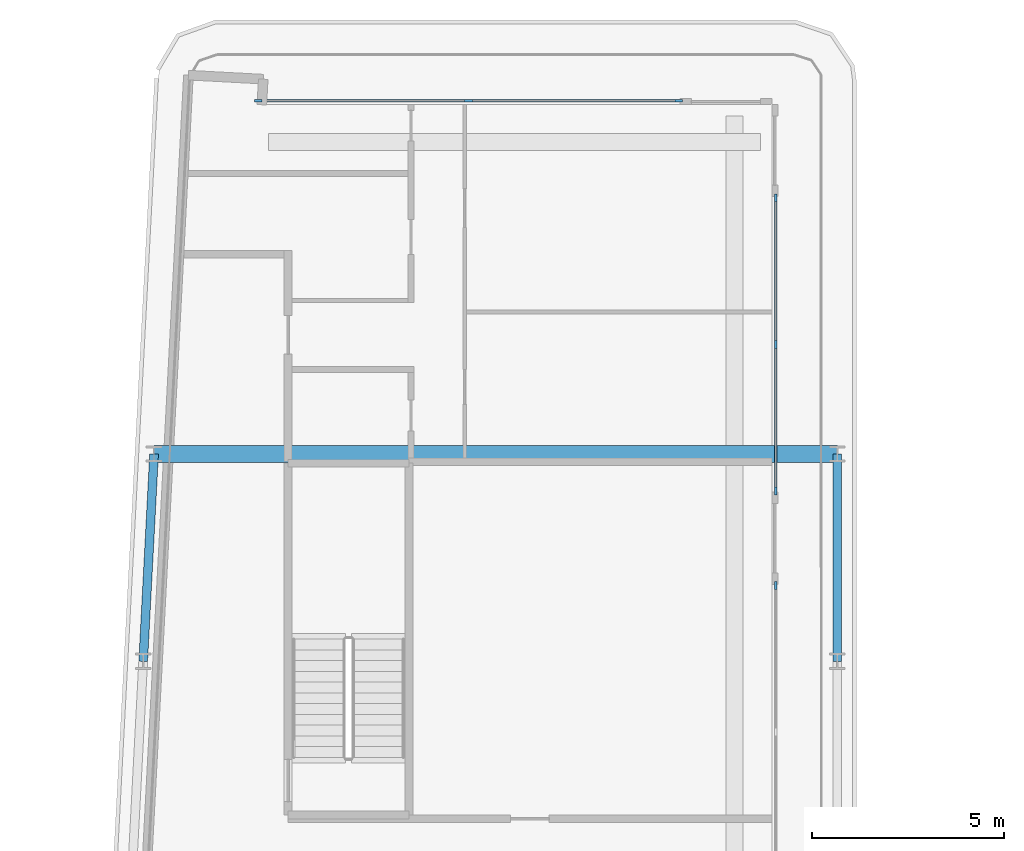
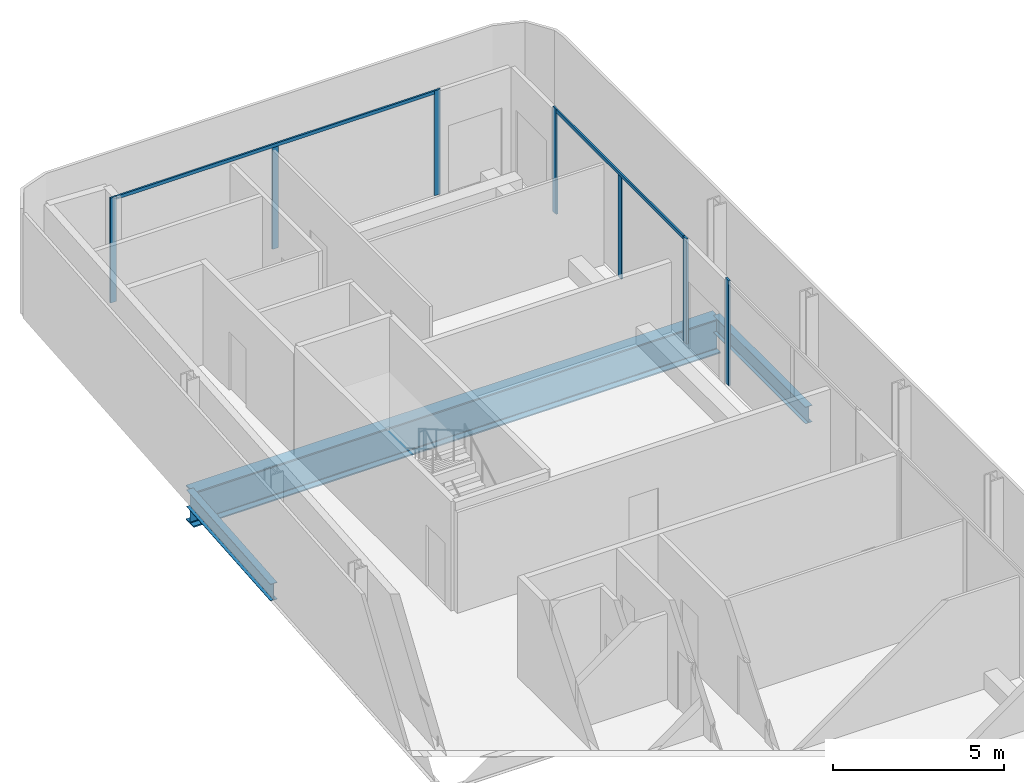
# One storey, part 11 of 30: 9 members, 3 beams, 3 elements without a shape of their own.
"""IFC4 building model written with IfcOpenShell, lengths in metres."""

from ifc_helpers import new_model, si_unit, direction, frame, origin, origin_2d, place, context, subcontext, project, spatial, rectangle, i_section, extrude, material, layer, layer_set, material_profile, profile_set, type_object, element, aggregate, save


model = new_model("IFC4")

# Units and contexts
model_context = context("Model", 3, precision=1e-05, world=origin(), true_north=direction((0.0, 1.0)))
body_context = subcontext(model_context, "Body", "Model", "MODEL_VIEW")
ifc_project = project(units=[si_unit("LENGTHUNIT", "METRE"), si_unit("AREAUNIT", "SQUARE_METRE"), si_unit("VOLUMEUNIT", "CUBIC_METRE"), si_unit("PLANEANGLEUNIT", "RADIAN"), si_unit("MASSUNIT", "GRAM", prefix="KILO")], contexts=[model_context])

# Site, building, storey
site_placement = place(None, origin())
site = spatial("IfcSite", under=ifc_project, at=site_placement, CompositionType="ELEMENT")
building_placement = place(site_placement, origin())
building = spatial("IfcBuilding", under=site, at=building_placement, Name="Kheshtan School and Residences Tower", CompositionType="ELEMENT")
storey_placement = place(building_placement, frame((0.0, 0.0, 164.300048828125)))
storey = spatial("IfcBuildingStorey", under=building, at=storey_placement, Name="L38", CompositionType="ELEMENT", Elevation=164.300048828125)

# Beams
ifc_material_1 = material(Name="Steel ASTM A992 Grade 50", Category="steel")
ifc_material_profile_1 = material_profile(ifc_material_1, i_section(OverallWidth=0.22802734375, OverallDepth=0.60302734375, WebThickness=0.010498046875, FlangeThickness=0.014892578125, FilletRadius=0.013427734375, at=origin_2d()), Name="W610x101")
ifc_profile_set_1 = profile_set([ifc_material_profile_1], Name="Steel ASTM A992 Grade 50")
beam_type_1 = type_object("IfcBeamType", Name="Beam SP2 W610x101 ASTM A992 Grade 50", PredefinedType="BEAM", material=ifc_profile_set_1)
beam_1_placement = place(storey_placement, frame((47.60009765625, 88.800048828125, -0.45166015625), z_axis=(0.0, -1.0, 0.0), x_axis=(1.0, 0.0, 0.0)))
element("IfcBeam", 1, at=beam_1_placement, inside=storey, type_object=beam_type_1, Name="Spandrel beam C099-C091", PredefinedType="BEAM", context=body_context, shape_type="SweptSolid", body=[
    extrude(i_section(OverallWidth=0.22802734375, OverallDepth=0.60302734375, WebThickness=0.010498046875, FlangeThickness=0.014892578125, FilletRadius=0.013427734375, at=origin_2d()), origin(), (0.0, 0.0, 1.0), 5.400146484375),
])
beam_2_placement = place(storey_placement, frame((29.527099609375, 83.39990234375, -0.45166015625), z_axis=(0.05250670125, 0.998620571751, 0.0), x_axis=(-0.998620571751, 0.05250670125, 0.0)))
element("IfcBeam", 2, at=beam_2_placement, inside=storey, type_object=beam_type_1, Name="Spandrel beam C090-C098", PredefinedType="BEAM", context=body_context, shape_type="SweptSolid", body=[
    extrude(i_section(OverallWidth=0.22802734375, OverallDepth=0.60302734375, WebThickness=0.010498046875, FlangeThickness=0.014892578125, FilletRadius=0.013427734375, at=origin_2d()), origin(), (0.0, 0.0, 1.0), 5.40771484375),
])

# Curtain wall, members
ifc_material_2 = material(Name="Clear low-e glass in thermally broken aluminium frame", Category="aluminium")
ifc_layer = layer(ifc_material_2, 0.199951171875)
ifc_layer_set = layer_set([ifc_layer], Name="Curtain wall CW-L")
curtain_wall_type = type_object("IfcCurtainWallType", Name="Curtain wall CW-L", PredefinedType="NOTDEFINED", material=ifc_layer_set)
curtain_wall_1_placement = place(storey_placement, origin())
curtain_wall_1 = element("IfcCurtainWall", 3, at=curtain_wall_1_placement, inside=storey, type_object=curtain_wall_type, Name="Curtain wall CWL7", PredefinedType="NOTDEFINED")
ifc_material_3 = material(Name="Thermally broken aluminium, dark bronze anodised", Category="aluminium")
ifc_material_profile_2 = material_profile(ifc_material_3, rectangle(XDim=0.06005859375, YDim=0.199951171875, at=origin_2d()), Name="CW-L mullion 60x200")
ifc_profile_set_2 = profile_set([ifc_material_profile_2], Name="Thermally broken aluminium, dark bronze anodised")
member_type_1 = type_object("IfcMemberType", Name="CW-L mullion 60x200", PredefinedType="MULLION", material=ifc_profile_set_2)
member_1_placement = place(storey_placement, frame((32.52197265625, 98.0, 0.0), z_axis=(0.0, 0.0, 1.0), x_axis=(0.0, 1.0, 0.0)))
member_1 = element("IfcMember", 4, at=member_1_placement, type_object=member_type_1, Name="CWL7 mullion 1", PredefinedType="MULLION", context=body_context, shape_type="SweptSolid", body=[
    extrude(rectangle(XDim=0.06005859375, YDim=0.199951171875, at=origin_2d()), origin(), (0.0, 0.0, 1.0), 3.75),
])
member_2_placement = place(storey_placement, frame((37.99609375, 98.0, 0.0), z_axis=(0.0, 0.0, 1.0), x_axis=(0.0, 1.0, 0.0)))
member_2 = element("IfcMember", 5, at=member_2_placement, type_object=member_type_1, Name="CWL7 mullion 2", PredefinedType="MULLION", context=body_context, shape_type="SweptSolid", body=[
    extrude(rectangle(XDim=0.06005859375, YDim=0.199951171875, at=origin_2d()), origin(), (0.0, 0.0, 1.0), 3.6298828125),
])
member_3_placement = place(storey_placement, frame((43.469970703125, 98.0, 0.0), z_axis=(0.0, 0.0, 1.0), x_axis=(0.0, 1.0, 0.0)))
member_3 = element("IfcMember", 6, at=member_3_placement, type_object=member_type_1, Name="CWL7 mullion 3", PredefinedType="MULLION", context=body_context, shape_type="SweptSolid", body=[
    extrude(rectangle(XDim=0.06005859375, YDim=0.199951171875, at=origin_2d()), origin(), (0.0, 0.0, 1.0), 3.75),
])

curtain_wall_2_placement = place(storey_placement, origin())
curtain_wall_2 = element("IfcCurtainWall", 7, at=curtain_wall_2_placement, inside=storey, type_object=curtain_wall_type, Name="Curtain wall CWL8", PredefinedType="NOTDEFINED")
member_4_placement = place(storey_placement, frame((46.0, 95.469970703125, 0.0), z_axis=(0.0, 0.0, 1.0), x_axis=(1.0, 0.0, 0.0)))
member_4 = element("IfcMember", 8, at=member_4_placement, type_object=member_type_1, Name="CWL8 mullion 1", PredefinedType="MULLION", context=body_context, shape_type="SweptSolid", body=[
    extrude(rectangle(XDim=0.06005859375, YDim=0.199951171875, at=origin_2d()), origin(), (0.0, 0.0, 1.0), 3.75),
])
member_5_placement = place(storey_placement, frame((46.0, 91.653076171875, 0.0), z_axis=(0.0, 0.0, 1.0), x_axis=(1.0, 0.0, 0.0)))
member_5 = element("IfcMember", 9, at=member_5_placement, type_object=member_type_1, Name="CWL8 mullion 2", PredefinedType="MULLION", context=body_context, shape_type="SweptSolid", body=[
    extrude(rectangle(XDim=0.06005859375, YDim=0.199951171875, at=origin_2d()), origin(), (0.0, 0.0, 1.0), 3.6298828125),
])
member_6_placement = place(storey_placement, frame((46.0, 87.8359375, 0.0), z_axis=(0.0, 0.0, 1.0), x_axis=(1.0, 0.0, 0.0)))
member_6 = element("IfcMember", 10, at=member_6_placement, type_object=member_type_1, Name="CWL8 mullion 3", PredefinedType="MULLION", context=body_context, shape_type="SweptSolid", body=[
    extrude(rectangle(XDim=0.06005859375, YDim=0.199951171875, at=origin_2d()), origin(), (0.0, 0.0, 1.0), 3.75),
])

# Curtain wall, member
curtain_wall_3_placement = place(storey_placement, origin())
curtain_wall_3 = element("IfcCurtainWall", 11, at=curtain_wall_3_placement, inside=storey, type_object=curtain_wall_type, Name="Curtain wall CWL8", PredefinedType="NOTDEFINED")
member_7_placement = place(storey_placement, frame((46.0, 85.3759765625, 0.0), z_axis=(0.0, 0.0, 1.0), x_axis=(1.0, 0.0, 0.0)))
member_7 = element("IfcMember", 12, at=member_7_placement, type_object=member_type_1, Name="CWL8 mullion 1", PredefinedType="MULLION", context=body_context, shape_type="SweptSolid", body=[
    extrude(rectangle(XDim=0.06005859375, YDim=0.199951171875, at=origin_2d()), origin(), (0.0, 0.0, 1.0), 3.75),
])
aggregate(curtain_wall_3, [member_7])

# Member
ifc_material_profile_3 = material_profile(ifc_material_3, rectangle(XDim=0.06005859375, YDim=0.1201171875, at=origin_2d()), Name="CW-L transom 60x120")
ifc_profile_set_3 = profile_set([ifc_material_profile_3], Name="Thermally broken aluminium, dark bronze anodised")
member_type_2 = type_object("IfcMemberType", Name="CW-L transom 60x120", PredefinedType="USERDEFINED", material=ifc_profile_set_3)
member_8_placement = place(storey_placement, frame((32.552001953125, 98.0, 3.68994140625), z_axis=(1.0, 0.0, 0.0), x_axis=(0.0, 1.0, 0.0)))
member_8 = element("IfcMember", 13, at=member_8_placement, type_object=member_type_2, Name="CWL7 transom 1", ObjectType="TRANSOM", PredefinedType="USERDEFINED", context=body_context, shape_type="SweptSolid", body=[
    extrude(rectangle(XDim=0.06005859375, YDim=0.1201171875, at=origin_2d()), origin(), (0.0, 0.0, 1.0), 10.887939453125),
])

aggregate(curtain_wall_1, [member_1, member_2, member_3, member_8])

member_9_placement = place(storey_placement, frame((46.0, 95.43994140625, 3.68994140625), z_axis=(0.0, -1.0, 0.0), x_axis=(1.0, 0.0, 0.0)))
member_9 = element("IfcMember", 14, at=member_9_placement, type_object=member_type_2, Name="CWL8 transom 1", ObjectType="TRANSOM", PredefinedType="USERDEFINED", context=body_context, shape_type="SweptSolid", body=[
    extrude(rectangle(XDim=0.06005859375, YDim=0.1201171875, at=origin_2d()), origin(), (0.0, 0.0, 1.0), 7.573974609375),
])

aggregate(curtain_wall_2, [member_4, member_5, member_6, member_9])

# Beam
ifc_material_profile_4 = material_profile(ifc_material_1, i_section(OverallWidth=0.449951171875, OverallDepth=1.25, WebThickness=0.02490234375, FlangeThickness=0.044921875, FilletRadius=0.03759765625, at=origin_2d()), Name="WWF1250x546")
ifc_profile_set_4 = profile_set([ifc_material_profile_4], Name="Steel ASTM A992 Grade 50")
beam_type_2 = type_object("IfcBeamType", Name="Transfer girder TG4 WWF1250x546 ASTM A992 Grade 50", PredefinedType="BEAM", material=ifc_profile_set_4)
beam_3_placement = place(storey_placement, frame((29.81103515625, 88.800048828125, -0.775146484375), z_axis=(1.0, 0.0, 0.0), x_axis=(0.0, 1.0, 0.0)))
element("IfcBeam", 15, at=beam_3_placement, inside=storey, type_object=beam_type_2, Name="Transfer girder C098-C099", PredefinedType="BEAM", context=body_context, shape_type="SweptSolid", body=[
    extrude(i_section(OverallWidth=0.449951171875, OverallDepth=1.25, WebThickness=0.02490234375, FlangeThickness=0.044921875, FilletRadius=0.03759765625, at=origin_2d()), origin(), (0.0, 0.0, 1.0), 17.7890625),
])

save(model, "model.ifc")
